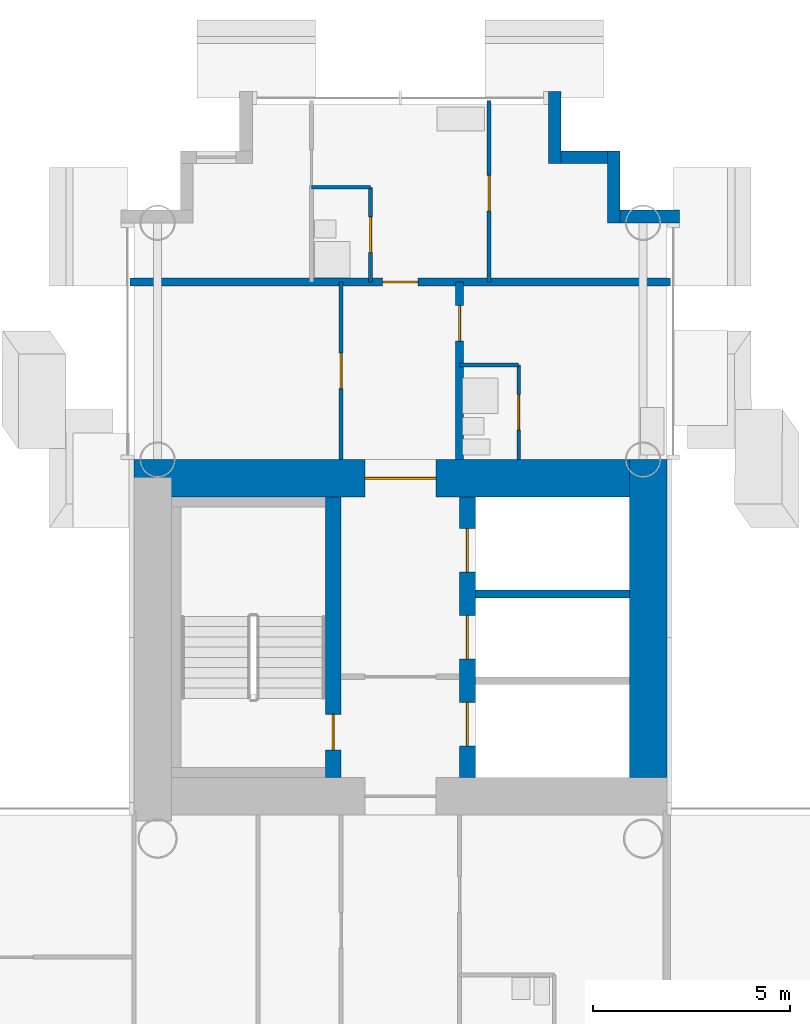
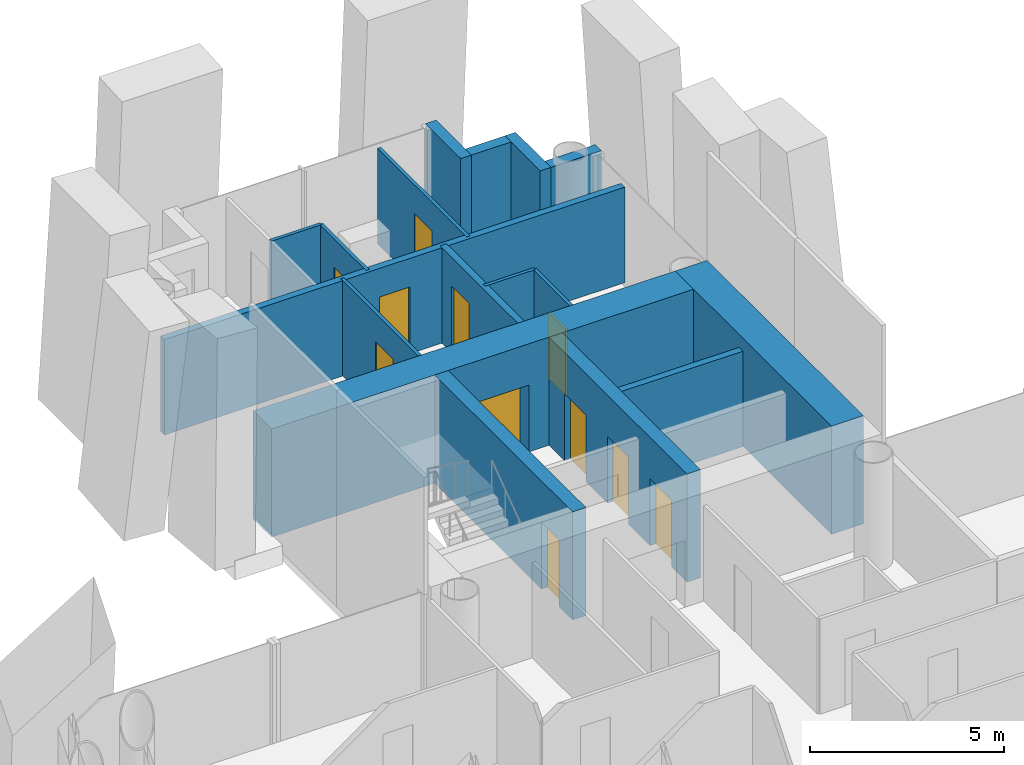
# One storey, part 14 of 21: 17 walls, 11 doors, 11 openings.
"""IFC4 building model written with IfcOpenShell, lengths in metres."""

from ifc_helpers import new_model, si_unit, direction, frame, frame_2d, origin, place, context, subcontext, project, spatial, rectangle, extrude, material, layer, layer_set, type_object, element, fill, save


model = new_model("IFC4")

# Units and contexts
model_context = context("Model", 3, precision=1e-05, world=origin(), true_north=direction((0.0, 1.0)))
body_context = subcontext(model_context, "Body", "Model", "MODEL_VIEW")
ifc_project = project(units=[si_unit("LENGTHUNIT", "METRE"), si_unit("AREAUNIT", "SQUARE_METRE"), si_unit("VOLUMEUNIT", "CUBIC_METRE"), si_unit("PLANEANGLEUNIT", "RADIAN"), si_unit("MASSUNIT", "GRAM", prefix="KILO")], contexts=[model_context])

# Site, building, storey
site_placement = place(None, origin())
site = spatial("IfcSite", under=ifc_project, at=site_placement, CompositionType="ELEMENT")
building_placement = place(site_placement, origin())
building = spatial("IfcBuilding", under=site, at=building_placement, Name="Ipe Terrace Towers", CompositionType="ELEMENT")
storey_placement = place(building_placement, frame((0.0, 0.0, 86.800048828125)))
storey = spatial("IfcBuildingStorey", under=building, at=storey_placement, Name="L23", CompositionType="ELEMENT", Elevation=86.800048828125)

# Walls
ifc_material_1 = material(Name="Concrete C40/50 with buff precast cladding", Category="concrete")
ifc_layer_1 = layer(ifc_material_1, 0.320068359375)
ifc_layer_set_1 = layer_set([ifc_layer_1], Name="BUFF CLADDING WALL 320")
wall_type_1 = type_object("IfcWallType", Name="BUFF CLADDING WALL 320", PredefinedType="STANDARD", material=ifc_layer_set_1)
wall_1_placement = place(storey_placement, frame((43.070068359375, 21.909912109375, -0.300048828125), z_axis=(0.0, 0.0, 1.0), x_axis=(-1.0, 0.0, 0.0)))
element("IfcWall", 1, at=wall_1_placement, inside=storey, type_object=wall_type_1, Name="T2-W-L23-17a wall", PredefinedType="STANDARD", context=body_context, shape_type="SweptSolid", body=[
    extrude(rectangle(XDim=1.5, YDim=0.320068359375, at=frame_2d((0.75, 0.0))), origin(), (0.0, 0.0, 1.0), 3.39990234375),
])
wall_2_placement = place(storey_placement, frame((41.409912109375, 21.75, -0.300048828125), z_axis=(0.0, 0.0, 1.0), x_axis=(0.0, 1.0, 0.0)))
element("IfcWall", 2, at=wall_2_placement, inside=storey, type_object=wall_type_1, Name="T2-W-L23-18a wall", PredefinedType="STANDARD", context=body_context, shape_type="SweptSolid", body=[
    extrude(rectangle(XDim=1.820068359375, YDim=0.320068359375, at=frame_2d((0.91015625, 0.0))), origin(), (0.0, 0.0, 1.0), 3.39990234375),
])
wall_3_placement = place(storey_placement, frame((41.25, 23.409912109375, -0.300048828125), z_axis=(0.0, 0.0, 1.0), x_axis=(-1.0, 0.0, 0.0)))
element("IfcWall", 3, at=wall_3_placement, inside=storey, type_object=wall_type_1, Name="T2-W-L23-19a wall", PredefinedType="STANDARD", context=body_context, shape_type="SweptSolid", body=[
    extrude(rectangle(XDim=1.179931640625, YDim=0.320068359375, at=frame_2d((0.58984375, 0.0))), origin(), (0.0, 0.0, 1.0), 3.39990234375),
])
wall_4_placement = place(storey_placement, frame((39.909912109375, 23.25, -0.300048828125), z_axis=(0.0, 0.0, 1.0), x_axis=(0.0, 1.0, 0.0)))
element("IfcWall", 4, at=wall_4_placement, inside=storey, type_object=wall_type_1, Name="T2-W-L23-20a wall", PredefinedType="STANDARD", context=body_context, shape_type="SweptSolid", body=[
    extrude(rectangle(XDim=1.820068359375, YDim=0.320068359375, at=frame_2d((0.91015625, 0.0))), origin(), (0.0, 0.0, 1.0), 3.39990234375),
])
ifc_material_2 = material(Name="Gypsum board partition", Category="plasterboard")
ifc_layer_2 = layer(ifc_material_2, 0.10009765625)
ifc_layer_set_2 = layer_set([ifc_layer_2], Name="Gypsum board partition 100 mm")
wall_type_2 = type_object("IfcWallType", Name="Gypsum board partition 100 mm", PredefinedType="PARTITIONING", material=ifc_layer_set_2)
for number, where, z_axis, x_axis, name in (
    (5, (39.0, 18.14990234375, 0.0), (0.0, 0.0, 1.0), (-1.0, 0.0, 0.0), "Gypsum board partition T2 L23 W15"),
    (6, (35.25, 22.64990234375, 0.0), (0.0, 0.0, 1.0), (-1.0, 0.0, 0.0), "Gypsum board partition T2 L23 W17"),
):
    element("IfcWall", number, at=place(storey_placement, frame(where, z_axis=z_axis, x_axis=x_axis)), inside=storey, type_object=wall_type_2, Name=name, PredefinedType="PARTITIONING", context=body_context, shape_type="SweptSolid", body=[
        extrude(rectangle(XDim=1.5, YDim=0.10009765625, at=frame_2d((0.75, 0.0))), origin(), (0.0, 0.0, 1.0), 3.0),
    ])

# Wall, opening, door
wall_5_placement = place(storey_placement, frame((39.0, 15.75, 0.0), z_axis=(0.0, 0.0, 1.0), x_axis=(0.0, 1.0, 0.0)))
wall_5 = element("IfcWall", 7, at=wall_5_placement, inside=storey, type_object=wall_type_2, Name="Gypsum board partition T2 L23 W28", PredefinedType="PARTITIONING", context=body_context, shape_type="SweptSolid", body=[
    extrude(rectangle(XDim=2.39990234375, YDim=0.10009765625, at=frame_2d((1.199951171875, 0.0))), origin(), (0.0, 0.0, 1.0), 3.0),
])
opening_1_placement = place(wall_5_placement, frame((0.75, 0.0, 0.0)))
opening_1 = element("IfcOpeningElement", 8, at=opening_1_placement, cuts=wall_5, Name="Opening T2-Z2C-20", PredefinedType="OPENING", context=body_context, shape_type="SweptSolid", body=[
    extrude(rectangle(XDim=0.89990234375, YDim=2.10009765625, at=frame_2d((0.449951171875, 1.050048828125))), frame((0.0, 0.06005859375, 0.0), z_axis=(0.0, -1.0, 0.0), x_axis=(1.0, 0.0, 0.0)), (0.0, 0.0, 1.0), 0.1201171875),
])
ifc_material_3 = material(Name="Timber door leaf", Category="wood")
door_type_1 = type_object("IfcDoorType", Name="Bathroom door 900 x 2100", OperationType="NOTDEFINED", PredefinedType="DOOR", material=ifc_material_3)
door_1_placement = place(opening_1_placement, origin())
door_1 = element("IfcDoor", 9, at=door_1_placement, inside=storey, type_object=door_type_1, Name="Bathroom door T2-Z2C-20", OperationType="SINGLE_SWING_LEFT", OverallHeight=2.10009765625, OverallWidth=0.89990234375, PredefinedType="DOOR", context=body_context, shape_type="SweptSolid", body=[
    extrude(rectangle(XDim=0.89990234375, YDim=2.10009765625, at=frame_2d((0.449951171875, 1.050048828125))), frame((0.0, 0.02490234375, 0.0), z_axis=(0.0, -1.0, 0.0), x_axis=(1.0, 0.0, 0.0)), (0.0, 0.0, 1.0), 0.050048828125),
])
fill(opening_1, door_1)

wall_6_placement = place(storey_placement, frame((38.25, 20.25, 0.0), z_axis=(0.0, 0.0, 1.0), x_axis=(0.0, 1.0, 0.0)))
wall_6 = element("IfcWall", 10, at=wall_6_placement, inside=storey, type_object=wall_type_2, Name="Gypsum board partition T2 L23 W29", PredefinedType="PARTITIONING", context=body_context, shape_type="SweptSolid", body=[
    extrude(rectangle(XDim=4.60009765625, YDim=0.10009765625, at=frame_2d((2.300048828125, 0.0))), origin(), (0.0, 0.0, 1.0), 3.0),
])
opening_2_placement = place(wall_6_placement, frame((1.800048828125, 0.0, 0.0)))
opening_2 = element("IfcOpeningElement", 11, at=opening_2_placement, cuts=wall_6, Name="Opening T2-Z2C-24", PredefinedType="OPENING", context=body_context, shape_type="SweptSolid", body=[
    extrude(rectangle(XDim=0.89990234375, YDim=2.10009765625, at=frame_2d((0.449951171875, 1.050048828125))), frame((0.0, 0.06005859375, 0.0), z_axis=(0.0, -1.0, 0.0), x_axis=(1.0, 0.0, 0.0)), (0.0, 0.0, 1.0), 0.1201171875),
])
ifc_material_4 = material(Name="Timber door leaf", Category="wood")
door_type_2 = type_object("IfcDoorType", Name="Lounge door 900 x 2100", OperationType="NOTDEFINED", PredefinedType="DOOR", material=ifc_material_4)
door_2_placement = place(opening_2_placement, origin())
door_2 = element("IfcDoor", 12, at=door_2_placement, inside=storey, type_object=door_type_2, Name="Lounge door T2-Z2C-24", OperationType="SINGLE_SWING_LEFT", OverallHeight=2.10009765625, OverallWidth=0.89990234375, PredefinedType="DOOR", context=body_context, shape_type="SweptSolid", body=[
    extrude(rectangle(XDim=0.89990234375, YDim=2.10009765625, at=frame_2d((0.449951171875, 1.050048828125))), frame((0.0, 0.02490234375, 0.0), z_axis=(0.0, -1.0, 0.0), x_axis=(1.0, 0.0, 0.0)), (0.0, 0.0, 1.0), 0.050048828125),
])
fill(opening_2, door_2)

wall_7_placement = place(storey_placement, frame((35.25, 20.25, 0.0), z_axis=(0.0, 0.0, 1.0), x_axis=(0.0, 1.0, 0.0)))
wall_7 = element("IfcWall", 13, at=wall_7_placement, inside=storey, type_object=wall_type_2, Name="Gypsum board partition T2 L23 W33", PredefinedType="PARTITIONING", context=body_context, shape_type="SweptSolid", body=[
    extrude(rectangle(XDim=2.39990234375, YDim=0.10009765625, at=frame_2d((1.199951171875, 0.0))), origin(), (0.0, 0.0, 1.0), 3.0),
])
opening_3_placement = place(wall_7_placement, frame((0.75, 0.0, 0.0)))
opening_3 = element("IfcOpeningElement", 14, at=opening_3_placement, cuts=wall_7, Name="Opening T2-Z2C-21", PredefinedType="OPENING", context=body_context, shape_type="SweptSolid", body=[
    extrude(rectangle(XDim=0.89990234375, YDim=2.10009765625, at=frame_2d((0.449951171875, 1.050048828125))), frame((0.0, 0.06005859375, 0.0), z_axis=(0.0, -1.0, 0.0), x_axis=(1.0, 0.0, 0.0)), (0.0, 0.0, 1.0), 0.1201171875),
])
door_3_placement = place(opening_3_placement, origin())
door_3 = element("IfcDoor", 15, at=door_3_placement, inside=storey, type_object=door_type_1, Name="Bathroom door T2-Z2C-21", OperationType="SINGLE_SWING_LEFT", OverallHeight=2.10009765625, OverallWidth=0.89990234375, PredefinedType="DOOR", context=body_context, shape_type="SweptSolid", body=[
    extrude(rectangle(XDim=0.89990234375, YDim=2.10009765625, at=frame_2d((0.449951171875, 1.050048828125))), frame((0.0, 0.02490234375, 0.0), z_axis=(0.0, -1.0, 0.0), x_axis=(1.0, 0.0, 0.0)), (0.0, 0.0, 1.0), 0.050048828125),
])
fill(opening_3, door_3)

wall_8_placement = place(storey_placement, frame((34.5, 15.75, 0.0), z_axis=(0.0, 0.0, 1.0), x_axis=(0.0, 1.0, 0.0)))
wall_8 = element("IfcWall", 16, at=wall_8_placement, inside=storey, type_object=wall_type_2, Name="Gypsum board partition T2 L23 W36", PredefinedType="PARTITIONING", context=body_context, shape_type="SweptSolid", body=[
    extrude(rectangle(XDim=4.5, YDim=0.10009765625, at=frame_2d((2.25, 0.0))), origin(), (0.0, 0.0, 1.0), 3.0),
])
opening_4_placement = place(wall_8_placement, frame((1.800048828125, 0.0, 0.0)))
opening_4 = element("IfcOpeningElement", 17, at=opening_4_placement, cuts=wall_8, Name="Opening T2-Z2C-18", PredefinedType="OPENING", context=body_context, shape_type="SweptSolid", body=[
    extrude(rectangle(XDim=0.89990234375, YDim=2.10009765625, at=frame_2d((0.449951171875, 1.050048828125))), frame((0.0, 0.06005859375, 0.0), z_axis=(0.0, -1.0, 0.0), x_axis=(1.0, 0.0, 0.0)), (0.0, 0.0, 1.0), 0.1201171875),
])
door_4_placement = place(opening_4_placement, origin())
door_4 = element("IfcDoor", 18, at=door_4_placement, inside=storey, type_object=door_type_2, Name="Lounge door T2-Z2C-18", OperationType="SINGLE_SWING_LEFT", OverallHeight=2.10009765625, OverallWidth=0.89990234375, PredefinedType="DOOR", context=body_context, shape_type="SweptSolid", body=[
    extrude(rectangle(XDim=0.89990234375, YDim=2.10009765625, at=frame_2d((0.449951171875, 1.050048828125))), frame((0.0, 0.02490234375, 0.0), z_axis=(0.0, -1.0, 0.0), x_axis=(1.0, 0.0, 0.0)), (0.0, 0.0, 1.0), 0.050048828125),
])
fill(opening_4, door_4)

# Wall
ifc_material_5 = material(Name="Gypsum board party wall", Category="plasterboard")
ifc_layer_3 = layer(ifc_material_5, 0.199951171875)
ifc_layer_set_3 = layer_set([ifc_layer_3], Name="Gypsum board party wall 200 mm")
wall_type_3 = type_object("IfcWallType", Name="Gypsum board party wall 200 mm", PredefinedType="SOLIDWALL", material=ifc_layer_set_3)
wall_9_placement = place(storey_placement, frame((41.800048828125, 12.35009765625, 0.0), z_axis=(0.0, 0.0, 1.0), x_axis=(-1.0, 0.0, 0.0)))
element("IfcWall", 19, at=wall_9_placement, inside=storey, type_object=wall_type_3, Name="Gypsum board party wall T2 L23 t2c1-shaft-div2", PredefinedType="SOLIDWALL", context=body_context, shape_type="SweptSolid", body=[
    extrude(rectangle(XDim=3.900146484375, YDim=0.199951171875, at=frame_2d((1.9501953125, 0.0))), origin(), (0.0, 0.0, 1.0), 3.0),
])

# Wall, opening, door
wall_10_placement = place(storey_placement, frame((42.85009765625, 20.25, 0.0), z_axis=(0.0, 0.0, 1.0), x_axis=(-1.0, 0.0, 0.0)))
wall_10 = element("IfcWall", 20, at=wall_10_placement, inside=storey, type_object=wall_type_3, Name="Gypsum board party wall T2 L23 W16", PredefinedType="SOLIDWALL", context=body_context, shape_type="SweptSolid", body=[
    extrude(rectangle(XDim=13.7001953125, YDim=0.199951171875, at=frame_2d((6.85009765625, 0.0))), origin(), (0.0, 0.0, 1.0), 3.0),
])
opening_5_placement = place(wall_10_placement, frame((6.39990234375, 0.0, 0.0)))
opening_5 = element("IfcOpeningElement", 21, at=opening_5_placement, cuts=wall_10, Name="Opening T2-Z2C-22", PredefinedType="OPENING", context=body_context, shape_type="SweptSolid", body=[
    extrude(rectangle(XDim=0.89990234375, YDim=2.10009765625, at=frame_2d((0.449951171875, 1.050048828125))), frame((0.0, 0.10986328125, 0.0), z_axis=(0.0, -1.0, 0.0), x_axis=(1.0, 0.0, 0.0)), (0.0, 0.0, 1.0), 0.219970703125),
])
ifc_material_6 = material(Name="Fire-rated timber door leaf", Category="wood")
door_type_3 = type_object("IfcDoorType", Name="Flat entrance door 900 x 2100 FD30S", OperationType="NOTDEFINED", PredefinedType="DOOR", material=ifc_material_6)
door_5_placement = place(opening_5_placement, origin())
door_5 = element("IfcDoor", 22, at=door_5_placement, inside=storey, type_object=door_type_3, Name="Flat entrance door T2-Z2C-22", OperationType="SINGLE_SWING_RIGHT", OverallHeight=2.10009765625, OverallWidth=0.89990234375, PredefinedType="DOOR", context=body_context, shape_type="SweptSolid", body=[
    extrude(rectangle(XDim=0.89990234375, YDim=2.10009765625, at=frame_2d((0.449951171875, 1.050048828125))), frame((0.0, 0.02490234375, 0.0), z_axis=(0.0, -1.0, 0.0), x_axis=(1.0, 0.0, 0.0)), (0.0, 0.0, 1.0), 0.050048828125),
])
fill(opening_5, door_5)

wall_11_placement = place(storey_placement, frame((37.5, 15.75, 0.0), z_axis=(0.0, 0.0, 1.0), x_axis=(0.0, 1.0, 0.0)))
wall_11 = element("IfcWall", 23, at=wall_11_placement, inside=storey, type_object=wall_type_3, Name="Gypsum board party wall T2 L23 W32", PredefinedType="SOLIDWALL", context=body_context, shape_type="SweptSolid", body=[
    extrude(rectangle(XDim=4.5, YDim=0.199951171875, at=frame_2d((2.25, 0.0))), origin(), (0.0, 0.0, 1.0), 3.0),
])
opening_6_placement = place(wall_11_placement, frame((3.0, 0.0, 0.0)))
opening_6 = element("IfcOpeningElement", 24, at=opening_6_placement, cuts=wall_11, Name="Opening T2-Z2C-19", PredefinedType="OPENING", context=body_context, shape_type="SweptSolid", body=[
    extrude(rectangle(XDim=0.89990234375, YDim=2.10009765625, at=frame_2d((0.449951171875, 1.050048828125))), frame((0.0, 0.10986328125, 0.0), z_axis=(0.0, -1.0, 0.0), x_axis=(1.0, 0.0, 0.0)), (0.0, 0.0, 1.0), 0.219970703125),
])
door_6_placement = place(opening_6_placement, origin())
door_6 = element("IfcDoor", 25, at=door_6_placement, inside=storey, type_object=door_type_3, Name="Flat entrance door T2-Z2C-19", OperationType="SINGLE_SWING_RIGHT", OverallHeight=2.10009765625, OverallWidth=0.89990234375, PredefinedType="DOOR", context=body_context, shape_type="SweptSolid", body=[
    extrude(rectangle(XDim=0.89990234375, YDim=2.10009765625, at=frame_2d((0.449951171875, 1.050048828125))), frame((0.0, 0.02490234375, 0.0), z_axis=(0.0, -1.0, 0.0), x_axis=(1.0, 0.0, 0.0)), (0.0, 0.0, 1.0), 0.050048828125),
])
fill(opening_6, door_6)

ifc_material_7 = material(Name="Concrete C50/60", Category="concrete")
ifc_layer_4 = layer(ifc_material_7, 0.39990234375)
ifc_layer_set_4 = layer_set([ifc_layer_4], Name="RW400 CORE SPINE WALL 400 C50-60")
wall_type_4 = type_object("IfcWallType", Name="RW400 CORE SPINE WALL 400 C50-60", PredefinedType="SHEAR", material=ifc_layer_set_4)
wall_12_placement = place(storey_placement, frame((34.300048828125, 7.699951171875, 0.0), z_axis=(0.0, 0.0, 1.0), x_axis=(0.0, 1.0, 0.0)))
wall_12 = element("IfcWall", 26, at=wall_12_placement, inside=storey, type_object=wall_type_4, Name="Core spine wall T2-C1-Z2-SW1", PredefinedType="SHEAR", context=body_context, shape_type="SweptSolid", body=[
    extrude(rectangle(XDim=7.10009765625, YDim=0.39990234375, at=frame_2d((3.550048828125, 0.0))), origin(), (0.0, 0.0, 1.0), 3.39990234375),
])
opening_7_placement = place(wall_12_placement, frame((0.699951171875, 0.0, 0.0)))
opening_7 = element("IfcOpeningElement", 27, at=opening_7_placement, cuts=wall_12, Name="Opening T2C1-SD", PredefinedType="OPENING", context=body_context, shape_type="SweptSolid", body=[
    extrude(rectangle(XDim=0.89990234375, YDim=2.10009765625, at=frame_2d((0.449951171875, 1.050048828125))), frame((0.0, 0.2099609375, 0.0), z_axis=(0.0, -1.0, 0.0), x_axis=(1.0, 0.0, 0.0)), (0.0, 0.0, 1.0), 0.419921875),
])
ifc_material_8 = material(Name="Fire-rated timber door leaf", Category="wood")
door_type_4 = type_object("IfcDoorType", Name="Stair door 900 x 2100 FD60", OperationType="NOTDEFINED", PredefinedType="DOOR", material=ifc_material_8)
door_7_placement = place(opening_7_placement, origin())
door_7 = element("IfcDoor", 28, at=door_7_placement, inside=storey, type_object=door_type_4, Name="Stair door T2C1-SD", OperationType="SINGLE_SWING_LEFT", OverallHeight=2.10009765625, OverallWidth=0.89990234375, PredefinedType="DOOR", context=body_context, shape_type="SweptSolid", body=[
    extrude(rectangle(XDim=0.89990234375, YDim=2.10009765625, at=frame_2d((0.449951171875, 1.050048828125))), frame((0.0, 0.02490234375, 0.0), z_axis=(0.0, -1.0, 0.0), x_axis=(1.0, 0.0, 0.0)), (0.0, 0.0, 1.0), 0.050048828125),
])
fill(opening_7, door_7)

# Wall, openings, doors
wall_13_placement = place(storey_placement, frame((37.699951171875, 7.699951171875, 0.0), z_axis=(0.0, 0.0, 1.0), x_axis=(0.0, 1.0, 0.0)))
wall_13 = element("IfcWall", 29, at=wall_13_placement, inside=storey, type_object=wall_type_4, Name="Core spine wall T2-C1-Z2-SW2", PredefinedType="SHEAR", context=body_context, shape_type="SweptSolid", body=[
    extrude(rectangle(XDim=7.10009765625, YDim=0.39990234375, at=frame_2d((3.550048828125, 0.0))), origin(), (0.0, 0.0, 1.0), 3.39990234375),
])
opening_8_placement = place(wall_13_placement, frame((0.800048828125, 0.0, 0.0)))
opening_8 = element("IfcOpeningElement", 30, at=opening_8_placement, cuts=wall_13, Name="Opening T2C1-LD1", PredefinedType="OPENING", context=body_context, shape_type="SweptSolid", body=[
    extrude(rectangle(XDim=1.10009765625, YDim=2.10009765625, at=frame_2d((0.550048828125, 1.050048828125))), frame((0.0, 0.2099609375, 0.0), z_axis=(0.0, -1.0, 0.0), x_axis=(1.0, 0.0, 0.0)), (0.0, 0.0, 1.0), 0.419921875),
])
opening_9_placement = place(wall_13_placement, frame((3.0, 0.0, 0.0)))
opening_9 = element("IfcOpeningElement", 31, at=opening_9_placement, cuts=wall_13, Name="Opening T2C1-LD2", PredefinedType="OPENING", context=body_context, shape_type="SweptSolid", body=[
    extrude(rectangle(XDim=1.10009765625, YDim=2.10009765625, at=frame_2d((0.550048828125, 1.050048828125))), frame((0.0, 0.2099609375, 0.0), z_axis=(0.0, -1.0, 0.0), x_axis=(1.0, 0.0, 0.0)), (0.0, 0.0, 1.0), 0.419921875),
])
opening_10_placement = place(wall_13_placement, frame((5.199951171875, 0.0, 0.0)))
opening_10 = element("IfcOpeningElement", 32, at=opening_10_placement, cuts=wall_13, Name="Opening T2C1-LD3", PredefinedType="OPENING", context=body_context, shape_type="SweptSolid", body=[
    extrude(rectangle(XDim=1.10009765625, YDim=2.10009765625, at=frame_2d((0.550048828125, 1.050048828125))), frame((0.0, 0.2099609375, 0.0), z_axis=(0.0, -1.0, 0.0), x_axis=(1.0, 0.0, 0.0)), (0.0, 0.0, 1.0), 0.419921875),
])
ifc_material_9 = material(Name="Fire-rated timber door leaf", Category="wood")
door_type_5 = type_object("IfcDoorType", Name="Sliding door 1100 x 2100 FD60", OperationType="SLIDING_TO_LEFT", PredefinedType="DOOR", material=ifc_material_9)
door_8_placement = place(opening_8_placement, origin())
door_8 = element("IfcDoor", 33, at=door_8_placement, inside=storey, type_object=door_type_5, Name="Sliding door T2C1-LD1", OperationType="SLIDING_TO_LEFT", OverallHeight=2.10009765625, OverallWidth=1.10009765625, PredefinedType="DOOR", context=body_context, shape_type="SweptSolid", body=[
    extrude(rectangle(XDim=1.10009765625, YDim=2.10009765625, at=frame_2d((0.550048828125, 1.050048828125))), frame((0.0, 0.02490234375, 0.0), z_axis=(0.0, -1.0, 0.0), x_axis=(1.0, 0.0, 0.0)), (0.0, 0.0, 1.0), 0.050048828125),
])
fill(opening_8, door_8)
door_9_placement = place(opening_9_placement, origin())
door_9 = element("IfcDoor", 34, at=door_9_placement, inside=storey, type_object=door_type_5, Name="Sliding door T2C1-LD2", OperationType="SLIDING_TO_LEFT", OverallHeight=2.10009765625, OverallWidth=1.10009765625, PredefinedType="DOOR", context=body_context, shape_type="SweptSolid", body=[
    extrude(rectangle(XDim=1.10009765625, YDim=2.10009765625, at=frame_2d((0.550048828125, 1.050048828125))), frame((0.0, 0.02490234375, 0.0), z_axis=(0.0, -1.0, 0.0), x_axis=(1.0, 0.0, 0.0)), (0.0, 0.0, 1.0), 0.050048828125),
])
fill(opening_9, door_9)
door_10_placement = place(opening_10_placement, origin())
door_10 = element("IfcDoor", 35, at=door_10_placement, inside=storey, type_object=door_type_5, Name="Sliding door T2C1-LD3", OperationType="SLIDING_TO_LEFT", OverallHeight=2.10009765625, OverallWidth=1.10009765625, PredefinedType="DOOR", context=body_context, shape_type="SweptSolid", body=[
    extrude(rectangle(XDim=1.10009765625, YDim=2.10009765625, at=frame_2d((0.550048828125, 1.050048828125))), frame((0.0, 0.02490234375, 0.0), z_axis=(0.0, -1.0, 0.0), x_axis=(1.0, 0.0, 0.0)), (0.0, 0.0, 1.0), 0.050048828125),
])
fill(opening_10, door_10)

# Wall
ifc_material_10 = material(Name="Concrete C50/60", Category="concrete")
ifc_layer_5 = layer(ifc_material_10, 0.949951171875)
ifc_layer_set_5 = layer_set([ifc_layer_5], Name="RW950 CORE WALL 950 C50-60")
wall_type_5 = type_object("IfcWallType", Name="RW950 CORE WALL 950 C50-60", PredefinedType="SHEAR", material=ifc_layer_set_5)
wall_14_placement = place(storey_placement, frame((42.27490234375, 7.699951171875, 0.0), z_axis=(0.0, 0.0, 1.0), x_axis=(0.0, 1.0, 0.0)))
element("IfcWall", 36, at=wall_14_placement, inside=storey, type_object=wall_type_5, Name="Core wall T2-C1-Z2-W02", PredefinedType="SHEAR", context=body_context, shape_type="SweptSolid", body=[
    extrude(rectangle(XDim=8.050048828125, YDim=0.949951171875, at=frame_2d((4.02490234375, 0.0))), origin(), (0.0, 0.0, 1.0), 3.39990234375),
])

# Wall, opening, door
wall_15_placement = place(storey_placement, frame((41.800048828125, 15.27490234375, 0.0), z_axis=(0.0, 0.0, 1.0), x_axis=(-1.0, 0.0, 0.0)))
wall_15 = element("IfcWall", 37, at=wall_15_placement, inside=storey, type_object=wall_type_5, Name="Core wall T2-C1-Z2-W03", PredefinedType="SHEAR", context=body_context, shape_type="SweptSolid", body=[
    extrude(rectangle(XDim=12.550048828125, YDim=0.949951171875, at=frame_2d((6.27490234375, 0.0))), origin(), (0.0, 0.0, 1.0), 3.39990234375),
])
opening_11_placement = place(wall_15_placement, frame((4.89990234375, 0.0, 0.0)))
opening_11 = element("IfcOpeningElement", 38, at=opening_11_placement, cuts=wall_15, Name="Opening T2C1-FD", PredefinedType="OPENING", context=body_context, shape_type="SweptSolid", body=[
    extrude(rectangle(XDim=1.800048828125, YDim=2.10009765625, at=frame_2d((0.89990234375, 1.050048828125))), frame((0.0, 0.48486328125, 0.0), z_axis=(0.0, -1.0, 0.0), x_axis=(1.0, 0.0, 0.0)), (0.0, 0.0, 1.0), 0.969970703125),
])
ifc_material_11 = material(Name="Fire-rated timber door leaf", Category="wood")
door_type_6 = type_object("IfcDoorType", Name="Fire door 1800 x 2100 FD30S", OperationType="NOTDEFINED", PredefinedType="DOOR", material=ifc_material_11)
door_11_placement = place(opening_11_placement, origin())
door_11 = element("IfcDoor", 39, at=door_11_placement, inside=storey, type_object=door_type_6, Name="Fire door T2C1-FD", OperationType="SINGLE_SWING_LEFT", OverallHeight=2.10009765625, OverallWidth=1.800048828125, PredefinedType="DOOR", context=body_context, shape_type="SweptSolid", body=[
    extrude(rectangle(XDim=1.800048828125, YDim=2.10009765625, at=frame_2d((0.89990234375, 1.050048828125))), frame((0.0, 0.02490234375, 0.0), z_axis=(0.0, -1.0, 0.0), x_axis=(1.0, 0.0, 0.0)), (0.0, 0.0, 1.0), 0.050048828125),
])
fill(opening_11, door_11)

save(model, "model.ifc")
